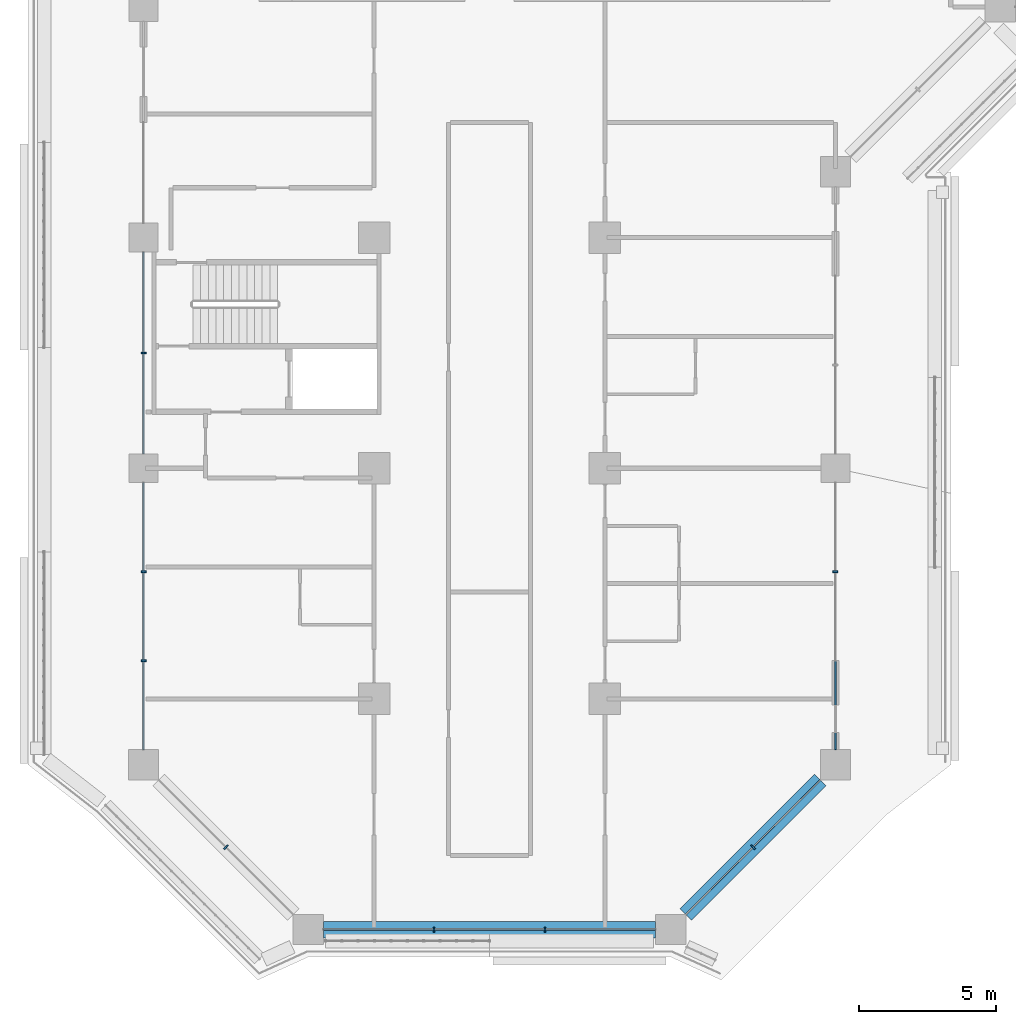
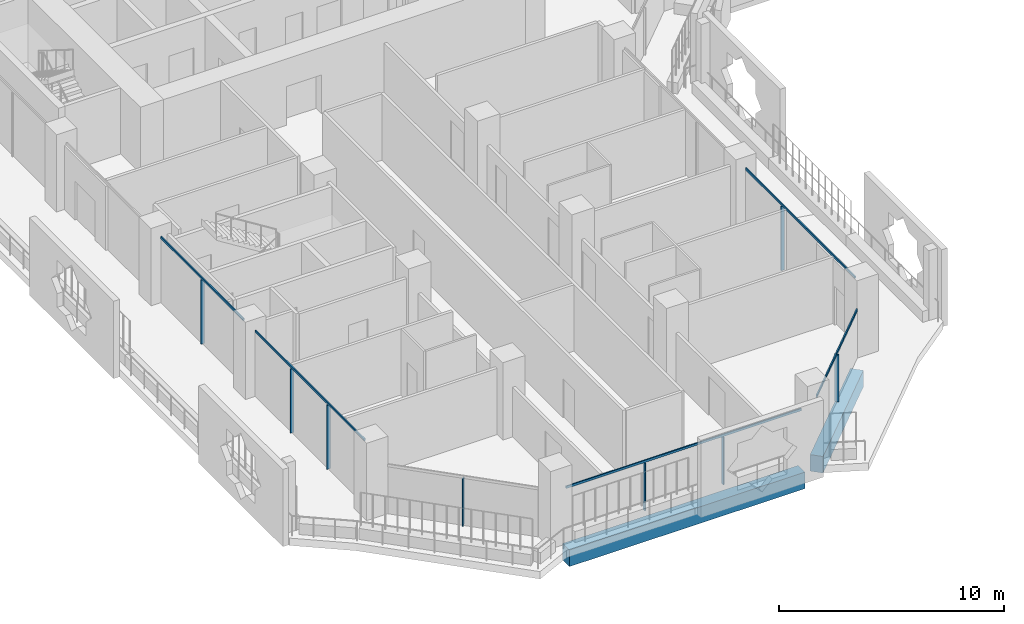
# One storey, part 2 of 25: 13 members, 2 beams, 5 elements without a shape of their own.
"""IFC4 building model written with IfcOpenShell, lengths in metres."""

from ifc_helpers import new_model, si_unit, direction, frame, origin, origin_2d, place, context, subcontext, project, spatial, rectangle, extrude, material, layer, layer_set, material_profile, profile_set, type_object, element, aggregate, save


model = new_model("IFC4")

# Units and contexts
model_context = context("Model", 3, precision=1e-05, world=origin(), true_north=direction((0.0, 1.0)))
body_context = subcontext(model_context, "Body", "Model", "MODEL_VIEW")
ifc_project = project(units=[si_unit("LENGTHUNIT", "METRE"), si_unit("AREAUNIT", "SQUARE_METRE"), si_unit("VOLUMEUNIT", "CUBIC_METRE"), si_unit("PLANEANGLEUNIT", "RADIAN"), si_unit("MASSUNIT", "GRAM", prefix="KILO")], contexts=[model_context])

# Site, building, storey
site_placement = place(None, origin())
site = spatial("IfcSite", under=ifc_project, at=site_placement, CompositionType="ELEMENT")
building_placement = place(site_placement, origin())
building = spatial("IfcBuilding", under=site, at=building_placement, Name="Kawkab Arch Medical Tower", CompositionType="ELEMENT")
storey_placement = place(building_placement, frame((0.0, 0.0, 136.60009765625)))
storey = spatial("IfcBuildingStorey", under=building, at=storey_placement, Name="L31", CompositionType="ELEMENT", Elevation=136.60009765625)

# Curtain wall, members
ifc_material_1 = material(Name="Bronze anodised aluminium curtain wall frame", Category="aluminium")
ifc_layer_1 = layer(ifc_material_1, 0.159912109375)
ifc_layer_set_1 = layer_set([ifc_layer_1], Name="Bronze anodised aluminium curtain wall frame")
curtain_wall_type_1 = type_object("IfcCurtainWallType", Name="CW1 ward curtain wall", PredefinedType="NOTDEFINED", material=ifc_layer_set_1)
placement = place(storey_placement, origin())
curtain_wall_1 = element("IfcCurtainWall", 1, at=placement, inside=storey, type_object=curtain_wall_type_1, Name="CW1 Ward curtain wall R01", PredefinedType="NOTDEFINED")
ifc_material_2 = material(Name="Bronze anodised aluminium curtain wall frame", Category="aluminium")
ifc_material_profile_1 = material_profile(ifc_material_2, rectangle(XDim=0.179931640625, YDim=0.06005859375, at=origin_2d()), Name="AL 60x180")
ifc_profile_set_1 = profile_set([ifc_material_profile_1], Name="Bronze anodised aluminium curtain wall frame")
member_type_1 = type_object("IfcMemberType", Name="CW1 mullion 60 x 180", PredefinedType="MULLION", material=ifc_profile_set_1)
member_1_placement = place(storey_placement, frame((0.0, -37.800048828125, 0.0), z_axis=(0.0, 0.0, 1.0), x_axis=(1.0, 0.0, 0.0)))
member_1 = element("IfcMember", 2, at=member_1_placement, type_object=member_type_1, Name="CW1 mullion 5.1", PredefinedType="MULLION", context=body_context, shape_type="SweptSolid", body=[
    extrude(rectangle(XDim=0.179931640625, YDim=0.06005859375, at=origin_2d()), origin(), (0.0, 0.0, 1.0), 3.47998046875),
])
member_2_placement = place(storey_placement, frame((0.0, -45.7666015625, 0.0), z_axis=(0.0, 0.0, 1.0), x_axis=(1.0, 0.0, 0.0)))
member_2 = element("IfcMember", 3, at=member_2_placement, type_object=member_type_1, Name="CW1 mullion 6.1", PredefinedType="MULLION", context=body_context, shape_type="SweptSolid", body=[
    extrude(rectangle(XDim=0.179931640625, YDim=0.06005859375, at=origin_2d()), origin(), (0.0, 0.0, 1.0), 3.47998046875),
])
member_3_placement = place(storey_placement, frame((0.0, -49.00830078125, 0.0), z_axis=(0.0, 0.0, 1.0), x_axis=(1.0, 0.0, 0.0)))
member_3 = element("IfcMember", 4, at=member_3_placement, type_object=member_type_1, Name="CW1 mullion 6.2", PredefinedType="MULLION", context=body_context, shape_type="SweptSolid", body=[
    extrude(rectangle(XDim=0.179931640625, YDim=0.06005859375, at=origin_2d()), origin(), (0.0, 0.0, 1.0), 3.47998046875),
])

curtain_wall_2 = element("IfcCurtainWall", 5, at=placement, inside=storey, type_object=curtain_wall_type_1, Name="CW1 Ward curtain wall R03", PredefinedType="NOTDEFINED")
member_4_placement = place(storey_placement, frame((10.583251953125, -58.800048828125, 0.0), z_axis=(0.0, 0.0, 1.0), x_axis=(0.0, 1.0, 0.0)))
member_4 = element("IfcMember", 6, at=member_4_placement, type_object=member_type_1, Name="CW1 mullion 1.1", PredefinedType="MULLION", context=body_context, shape_type="SweptSolid", body=[
    extrude(rectangle(XDim=0.179931640625, YDim=0.06005859375, at=origin_2d()), origin(), (0.0, 0.0, 1.0), 2.579833984375),
])
member_5_placement = place(storey_placement, frame((14.61669921875, -58.800048828125, 0.0), z_axis=(0.0, 0.0, 1.0), x_axis=(0.0, 1.0, 0.0)))
member_5 = element("IfcMember", 7, at=member_5_placement, type_object=member_type_1, Name="CW1 mullion 1.2", PredefinedType="MULLION", context=body_context, shape_type="SweptSolid", body=[
    extrude(rectangle(XDim=0.179931640625, YDim=0.06005859375, at=origin_2d()), origin(), (0.0, 0.0, 1.0), 2.579833984375),
])

# Curtain wall, member
curtain_wall_3 = element("IfcCurtainWall", 8, at=placement, inside=storey, type_object=curtain_wall_type_1, Name="CW1 Ward curtain wall R05", PredefinedType="NOTDEFINED")
member_6_placement = place(storey_placement, frame((25.199951171875, -45.7666015625, 0.0), z_axis=(0.0, 0.0, 1.0), x_axis=(-1.0, 0.0, 0.0)))
member_6 = element("IfcMember", 9, at=member_6_placement, type_object=member_type_1, Name="CW1 mullion 1.2", PredefinedType="MULLION", context=body_context, shape_type="SweptSolid", body=[
    extrude(rectangle(XDim=0.179931640625, YDim=0.06005859375, at=origin_2d()), origin(), (0.0, 0.0, 1.0), 3.47998046875),
])

# Member
ifc_material_3 = material(Name="Bronze anodised aluminium curtain wall frame", Category="aluminium")
ifc_material_profile_2 = material_profile(ifc_material_3, rectangle(XDim=0.06005859375, YDim=0.1201171875, at=origin_2d()), Name="AL 60x120")
ifc_profile_set_2 = profile_set([ifc_material_profile_2], Name="Bronze anodised aluminium curtain wall frame")
member_type_2 = type_object("IfcMemberType", Name="CW1 transom 120 x 60", PredefinedType="USERDEFINED", material=ifc_profile_set_2)
member_7_placement = place(storey_placement, frame((0.0, -34.125, 3.539794921875), z_axis=(0.0, -1.0, 0.0), x_axis=(1.0, 0.0, 0.0)))
member_7 = element("IfcMember", 10, at=member_7_placement, type_object=member_type_2, Name="CW1 transom 5", ObjectType="TRANSOM", PredefinedType="USERDEFINED", context=body_context, shape_type="SweptSolid", body=[
    extrude(rectangle(XDim=0.06005859375, YDim=0.1201171875, at=origin_2d()), origin(), (0.0, 0.0, 1.0), 7.35009765625),
])

member_8_placement = place(storey_placement, frame((0.0, -42.52490234375, 3.539794921875), z_axis=(0.0, -1.0, 0.0), x_axis=(1.0, 0.0, 0.0)))
member_8 = element("IfcMember", 11, at=member_8_placement, type_object=member_type_2, Name="CW1 transom 6", ObjectType="TRANSOM", PredefinedType="USERDEFINED", context=body_context, shape_type="SweptSolid", body=[
    extrude(rectangle(XDim=0.06005859375, YDim=0.1201171875, at=origin_2d()), origin(), (0.0, 0.0, 1.0), 9.72509765625),
])

aggregate(curtain_wall_1, [member_7, member_1, member_8, member_2, member_3])

member_9_placement = place(storey_placement, frame((6.550048828125, -58.800048828125, 2.639892578125), z_axis=(1.0, 0.0, 0.0), x_axis=(0.0, 1.0, 0.0)))
member_9 = element("IfcMember", 12, at=member_9_placement, type_object=member_type_2, Name="CW1 transom 1", ObjectType="TRANSOM", PredefinedType="USERDEFINED", context=body_context, shape_type="SweptSolid", body=[
    extrude(rectangle(XDim=0.06005859375, YDim=0.1201171875, at=origin_2d()), origin(), (0.0, 0.0, 1.0), 12.099853515625),
])

aggregate(curtain_wall_2, [member_9, member_4, member_5])

member_10_placement = place(storey_placement, frame((25.199951171875, -52.25, 3.539794921875), z_axis=(0.0, 1.0, 0.0), x_axis=(-1.0, 0.0, 0.0)))
member_10 = element("IfcMember", 13, at=member_10_placement, type_object=member_type_2, Name="CW1 transom 1", ObjectType="TRANSOM", PredefinedType="USERDEFINED", context=body_context, shape_type="SweptSolid", body=[
    extrude(rectangle(XDim=0.06005859375, YDim=0.1201171875, at=origin_2d()), origin(), (0.0, 0.0, 1.0), 9.72509765625),
])

aggregate(curtain_wall_3, [member_10, member_6])

# Curtain wall, member
ifc_material_4 = material(Name="Bronze anodised aluminium curtain wall frame", Category="aluminium")
ifc_layer_2 = layer(ifc_material_4, 0.159912109375)
ifc_layer_set_2 = layer_set([ifc_layer_2], Name="Bronze anodised aluminium curtain wall frame")
curtain_wall_type_2 = type_object("IfcCurtainWallType", Name="CW2 chamfer curtain wall", PredefinedType="NOTDEFINED", material=ifc_layer_set_2)
curtain_wall_4 = element("IfcCurtainWall", 14, at=placement, inside=storey, type_object=curtain_wall_type_2, Name="CW2 Chamfer curtain wall R02", PredefinedType="NOTDEFINED")
ifc_material_5 = material(Name="Bronze anodised aluminium curtain wall frame", Category="aluminium")
ifc_material_profile_3 = material_profile(ifc_material_5, rectangle(XDim=0.199951171875, YDim=0.06005859375, at=origin_2d()), Name="AL 60x200")
ifc_profile_set_3 = profile_set([ifc_material_profile_3], Name="Bronze anodised aluminium curtain wall frame")
member_type_3 = type_object("IfcMemberType", Name="CW2 mullion 60 x 200", PredefinedType="MULLION", material=ifc_profile_set_3)
member_11_placement = place(storey_placement, frame((3.0, -55.800048828125, 0.0), z_axis=(0.0, 0.0, 1.0), x_axis=(0.707106781187, 0.707106781187, 0.0)))
member_11 = element("IfcMember", 15, at=member_11_placement, type_object=member_type_3, Name="CW2 mullion 1.1", PredefinedType="MULLION", context=body_context, shape_type="SweptSolid", body=[
    extrude(rectangle(XDim=0.199951171875, YDim=0.06005859375, at=origin_2d()), origin(), (0.0, 0.0, 1.0), 2.559814453125),
])
aggregate(curtain_wall_4, [member_11])

# Curtain wall, members
curtain_wall_5 = element("IfcCurtainWall", 16, at=placement, inside=storey, type_object=curtain_wall_type_2, Name="CW2 Chamfer curtain wall R04", PredefinedType="NOTDEFINED")
member_12_placement = place(storey_placement, frame((22.199951171875, -55.800048828125, 0.0), z_axis=(0.0, 0.0, 1.0), x_axis=(-0.707106781187, 0.707106781187, 0.0)))
member_12 = element("IfcMember", 17, at=member_12_placement, type_object=member_type_3, Name="CW2 mullion 1.1", PredefinedType="MULLION", context=body_context, shape_type="SweptSolid", body=[
    extrude(rectangle(XDim=0.199951171875, YDim=0.06005859375, at=origin_2d()), origin(), (0.0, 0.0, 1.0), 2.559814453125),
])
ifc_material_6 = material(Name="Bronze anodised aluminium curtain wall frame", Category="aluminium")
ifc_material_profile_4 = material_profile(ifc_material_6, rectangle(XDim=0.06005859375, YDim=0.139892578125, at=origin_2d()), Name="AL 60x140")
ifc_profile_set_4 = profile_set([ifc_material_profile_4], Name="Bronze anodised aluminium curtain wall frame")
member_type_4 = type_object("IfcMemberType", Name="CW2 transom 140 x 60", PredefinedType="USERDEFINED", material=ifc_profile_set_4)
member_13_placement = place(storey_placement, frame((19.75, -58.25, 2.6298828125), z_axis=(0.707106781187, 0.707106781187, 0.0), x_axis=(-0.707106781187, 0.707106781187, 0.0)))
member_13 = element("IfcMember", 18, at=member_13_placement, type_object=member_type_4, Name="CW2 transom 1", ObjectType="TRANSOM", PredefinedType="USERDEFINED", context=body_context, shape_type="SweptSolid", body=[
    extrude(rectangle(XDim=0.06005859375, YDim=0.139892578125, at=origin_2d()), origin(), (0.0, 0.0, 1.0), 6.929443359375),
])
aggregate(curtain_wall_5, [member_13, member_12])

# Beams
ifc_material_7 = material(Name="Concrete C55/67", Category="concrete")
ifc_material_profile_5 = material_profile(ifc_material_7, rectangle(XDim=0.60009765625, YDim=0.89990234375, at=origin_2d()), Name="RC 600x900")
ifc_profile_set_5 = profile_set([ifc_material_profile_5], Name="Concrete C55/67")
beam_type = type_object("IfcBeamType", Name="RC 600x900 beam C55/67", PredefinedType="BEAM", material=ifc_profile_set_5)
beam_1_placement = place(storey_placement, frame((24.64990234375, -53.35009765625, -1.050048828125), z_axis=(-0.707106781187, -0.707106781187, 0.0), x_axis=(0.707106781187, -0.707106781187, 0.0)))
element("IfcBeam", 19, at=beam_1_placement, inside=storey, type_object=beam_type, Name="Overhang edge beam L31-07", PredefinedType="BEAM", context=body_context, shape_type="SweptSolid", body=[
    extrude(rectangle(XDim=0.60009765625, YDim=0.89990234375, at=origin_2d()), origin(), (0.0, 0.0, 1.0), 6.929443359375),
])
beam_2_placement = place(storey_placement, frame((18.64990234375, -58.800048828125, -1.050048828125), z_axis=(-1.0, 0.0, 0.0), x_axis=(0.0, -1.0, 0.0)))
element("IfcBeam", 20, at=beam_2_placement, inside=storey, type_object=beam_type, Name="Overhang edge beam L31-08", PredefinedType="BEAM", context=body_context, shape_type="SweptSolid", body=[
    extrude(rectangle(XDim=0.60009765625, YDim=0.89990234375, at=origin_2d()), origin(), (0.0, 0.0, 1.0), 12.099853515625),
])

save(model, "model.ifc")
